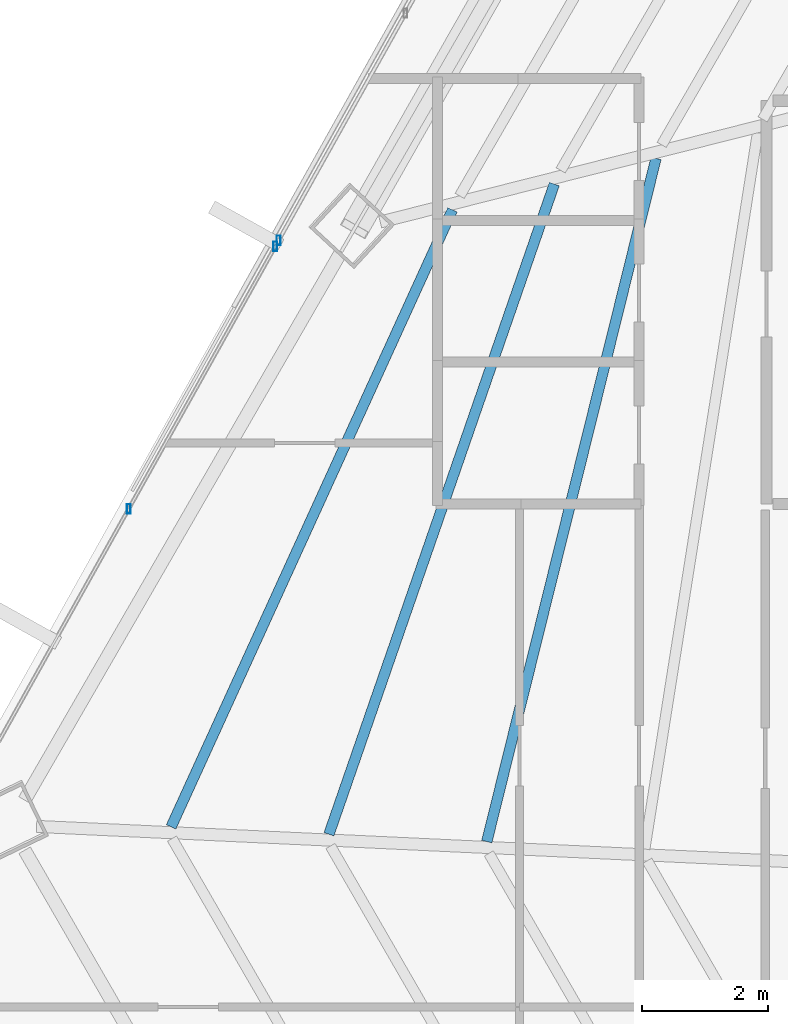
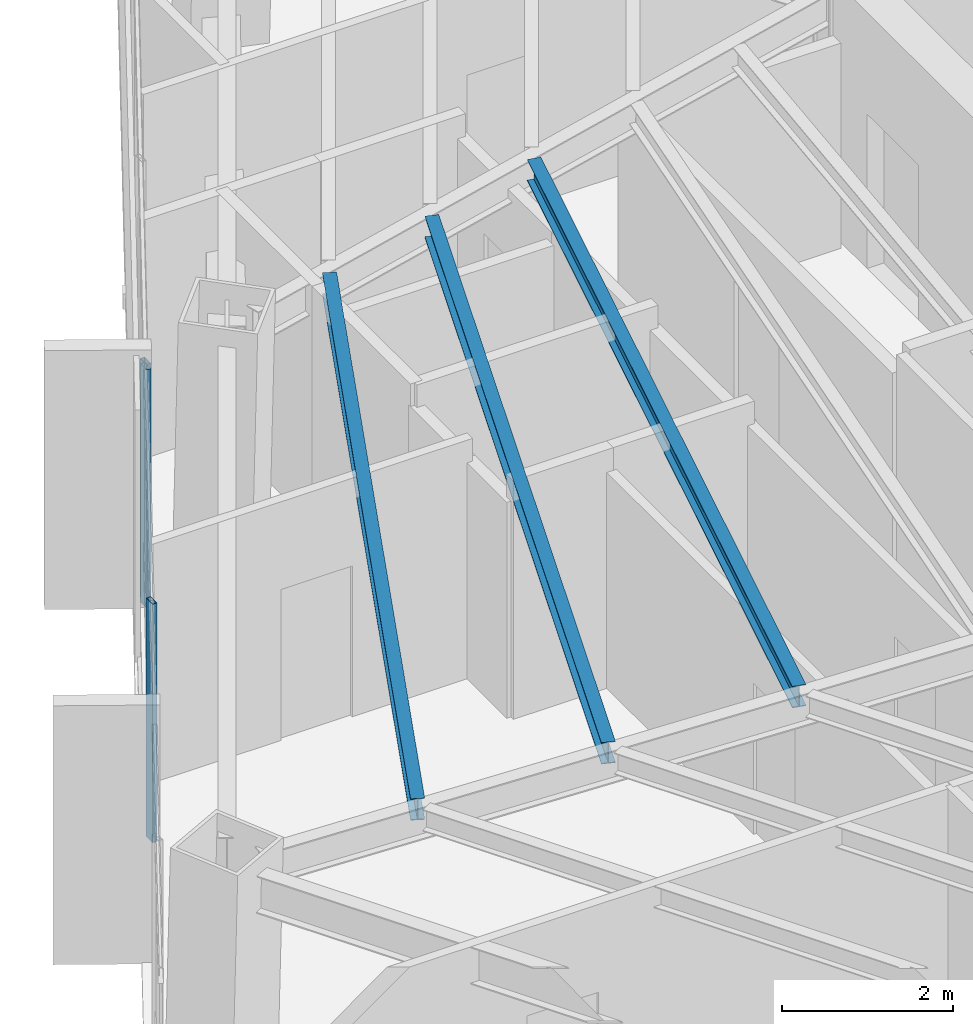
# One storey, part 12 of 38: 3 beams, 3 members, 2 elements without a shape of their own.
"""IFC4 building model written with IfcOpenShell, lengths in metres."""

from ifc_helpers import new_model, si_unit, direction, frame, origin, origin_2d, place, context, subcontext, project, spatial, hollow_rectangle, i_section, extrude, source, transform, mapped, material, material_profile, profile_set, type_object, type_shapes, element, aggregate, save


model = new_model("IFC4")

# Units and contexts
model_context = context("Model", 3, precision=1e-05, world=origin(), true_north=direction((0.0, 1.0)))
body_context = subcontext(model_context, "Body", "Model", "MODEL_VIEW")
ifc_project = project(units=[si_unit("LENGTHUNIT", "METRE"), si_unit("AREAUNIT", "SQUARE_METRE"), si_unit("VOLUMEUNIT", "CUBIC_METRE"), si_unit("PLANEANGLEUNIT", "RADIAN"), si_unit("MASSUNIT", "GRAM", prefix="KILO")], contexts=[model_context])

# Site, building, storey
site_placement = place(None, origin())
site = spatial("IfcSite", under=ifc_project, at=site_placement, CompositionType="ELEMENT")
building_placement = place(site_placement, origin())
building = spatial("IfcBuilding", under=site, at=building_placement, Name="Caelisora Broadcast Tower", CompositionType="ELEMENT")
storey_placement = place(building_placement, frame((0.0, 0.0, 154.85009765625)))
storey = spatial("IfcBuildingStorey", under=building, at=storey_placement, Name="L40", CompositionType="ELEMENT", Elevation=154.85009765625)

# Beams
ifc_material_1 = material(Name="Steel Grade 350 (AS/NZS 3679.1)", Category="steel")
ifc_material_profile_1 = material_profile(ifc_material_1, i_section(OverallWidth=0.166015625, OverallDepth=0.30712890625, WebThickness=0.006591796875, FlangeThickness=0.01171875, at=origin_2d()), Name="Steel Grade 350 (AS/NZS 3679.1)")
ifc_profile_set_1 = profile_set([ifc_material_profile_1], Name="Steel Grade 350 (AS/NZS 3679.1)")
beam_type = type_object("IfcBeamType", Name="SB03", PredefinedType="JOIST", material=ifc_profile_set_1)
shared_shape_1 = source(origin(), body_context, "Body", "SweptSolid", [
    extrude(i_section(OverallWidth=0.166015625, OverallDepth=0.30712890625, WebThickness=0.006591796875, FlangeThickness=0.01171875, at=origin_2d()), origin(), (0.0, 0.0, 1.0), 11.16650390625),
])
beam_1_placement = place(storey_placement, frame((25.667236328125, 28.68310546875, 3.246337890625), z_axis=(-0.240410431092, -0.970671326774, 0.0), x_axis=(0.970671326774, -0.240410431092, 0.0)))
element("IfcBeam", 1, at=beam_1_placement, inside=storey, type_object=beam_type, Name="L40 beam SB03", PredefinedType="JOIST", context=body_context, shape_type="MappedRepresentation", body=[
    mapped(shared_shape_1, transform((0.0, 0.0, 0.0), scale=1.0)),
])
shared_shape_2 = source(origin(), body_context, "Body", "SweptSolid", [
    extrude(i_section(OverallWidth=0.166015625, OverallDepth=0.30712890625, WebThickness=0.006591796875, FlangeThickness=0.01171875, at=origin_2d()), origin(), (0.0, 0.0, 1.0), 10.916259765625),
])
beam_2_placement = place(storey_placement, frame((24.0537109375, 28.275390625, 3.246337890625), z_axis=(-0.327510738171, -0.944847456674, 0.0), x_axis=(0.944847456674, -0.327510738171, 0.0)))
element("IfcBeam", 2, at=beam_2_placement, inside=storey, type_object=beam_type, Name="L40 beam SB03", PredefinedType="JOIST", context=body_context, shape_type="MappedRepresentation", body=[
    mapped(shared_shape_2, transform((0.0, 0.0, 0.0), scale=1.0)),
])
shared_shape_3 = source(origin(), body_context, "Body", "SweptSolid", [
    extrude(i_section(OverallWidth=0.166015625, OverallDepth=0.30712890625, WebThickness=0.006591796875, FlangeThickness=0.01171875, at=origin_2d()), origin(), (0.0, 0.0, 1.0), 10.75830078125),
])
type_shapes(beam_type, [shared_shape_1, shared_shape_2, shared_shape_3])
beam_3_placement = place(storey_placement, frame((22.43798828125, 27.866943359375, 3.246337890625), z_axis=(-0.414855884342, -0.909887133235, 0.0), x_axis=(0.909887133235, -0.414855884342, 0.0)))
element("IfcBeam", 3, at=beam_3_placement, inside=storey, type_object=beam_type, Name="L40 beam SB03", PredefinedType="JOIST", context=body_context, shape_type="MappedRepresentation", body=[
    mapped(shared_shape_3, transform((0.0, 0.0, 0.0), scale=1.0)),
])

# Curtain wall, members
ifc_material_2 = material(Name="Unitised Aluminium and Low-E Glass Curtain Wall", Category="glass")
curtain_wall_type_1 = type_object("IfcCurtainWallType", Name="CW-Z3", PredefinedType="NOTDEFINED", material=ifc_material_2)
curtain_wall_1_placement = place(storey_placement, origin())
curtain_wall_1 = element("IfcCurtainWall", 4, at=curtain_wall_1_placement, inside=storey, type_object=curtain_wall_type_1, Name="L40 curtain wall CW-Z3", PredefinedType="NOTDEFINED")
ifc_material_3 = material(Name="Aluminium 6063-T6 Anodised Terracotta Bronze", Category="aluminium")
ifc_material_profile_2 = material_profile(ifc_material_3, hollow_rectangle(XDim=0.06005859375, YDim=0.14990234375, WallThickness=0.00341796875, at=origin_2d()), Name="Aluminium 6063-T6 Anodised Terracotta Bronze")
ifc_profile_set_2 = profile_set([ifc_material_profile_2], Name="Aluminium 6063-T6 Anodised Terracotta Bronze")
member_type = type_object("IfcMemberType", Name="CWM-03", PredefinedType="MULLION", material=ifc_profile_set_2)
shared_shape_4 = source(origin(), body_context, "Body", "SweptSolid", [
    extrude(hollow_rectangle(XDim=0.06005859375, YDim=0.14990234375, WallThickness=0.00341796875, at=origin_2d()), origin(), (0.0, 0.0, 1.0), 3.39990234375),
])
type_shapes(member_type, [shared_shape_4])
member_1_placement = place(storey_placement, frame((17.302001953125, 23.123779296875, 0.0), z_axis=(0.0, 0.0, 1.0), x_axis=(1.0, 0.0, 0.0)))
member_1 = element("IfcMember", 5, at=member_1_placement, type_object=member_type, Name="L40-CW-B09 mullion #2", PredefinedType="MULLION", context=body_context, shape_type="MappedRepresentation", body=[
    mapped(shared_shape_4, transform((0.0, 0.0, 0.0), scale=1.0)),
])
member_2_placement = place(storey_placement, frame((19.626708984375, 27.28564453125, 0.0), z_axis=(0.0, 0.0, 1.0), x_axis=(1.0, 0.0, 0.0)))
member_2 = element("IfcMember", 6, at=member_2_placement, type_object=member_type, Name="L40-CW-B09 mullion #3", PredefinedType="MULLION", context=body_context, shape_type="MappedRepresentation", body=[
    mapped(shared_shape_4, transform((0.0, 0.0, 0.0), scale=1.0)),
])
aggregate(curtain_wall_1, [member_1, member_2])

# Curtain wall, member
ifc_material_4 = material(Name="Unitised Aluminium Insulated Shadow-Box Spandrel Curtain Wall", Category="aluminium")
curtain_wall_type_2 = type_object("IfcCurtainWallType", Name="CW-SP2", PredefinedType="NOTDEFINED", material=ifc_material_4)
curtain_wall_2_placement = place(storey_placement, origin())
curtain_wall_2 = element("IfcCurtainWall", 7, at=curtain_wall_2_placement, inside=storey, type_object=curtain_wall_type_2, Name="L40 curtain wall CW-SP2", PredefinedType="NOTDEFINED")
member_3_placement = place(storey_placement, frame((19.680419921875, 27.381591796875, 0.0), z_axis=(0.0, 0.0, 1.0), x_axis=(1.0, 0.0, 0.0)))
member_3 = element("IfcMember", 8, at=member_3_placement, type_object=member_type, Name="L40-CW-B10 mullion #0", PredefinedType="MULLION", context=body_context, shape_type="MappedRepresentation", body=[
    mapped(shared_shape_4, transform((0.0, 0.0, 0.0), scale=1.0)),
])
aggregate(curtain_wall_2, [member_3])

save(model, "model.ifc")
